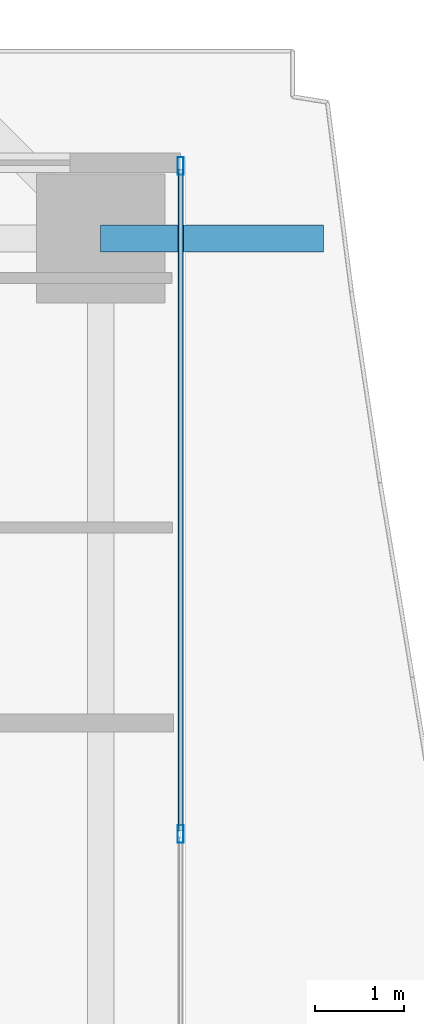
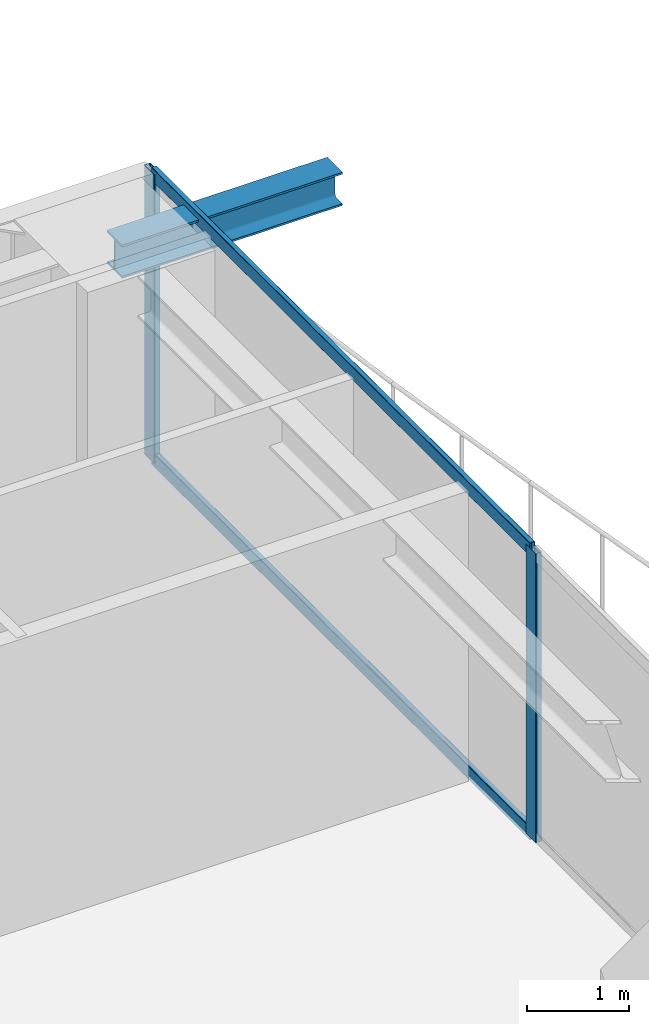
# One storey, part 23 of 39: 4 members, 1 beam, 1 element without a shape of its own.
"""IFC4 building model written with IfcOpenShell, lengths in metres."""

from ifc_helpers import new_model, si_unit, direction, frame, origin, origin_2d, place, context, subcontext, project, spatial, hollow_rectangle, i_section, extrude, source, transform, mapped, material, layer, layer_set, material_profile, profile_set, type_object, element, aggregate, save


model = new_model("IFC4")

# Units and contexts
model_context = context("Model", 3, precision=1e-05, world=origin(), true_north=direction((0.0, 1.0)))
body_context = subcontext(model_context, "Body", "Model", "MODEL_VIEW")
ifc_project = project(units=[si_unit("LENGTHUNIT", "METRE"), si_unit("AREAUNIT", "SQUARE_METRE"), si_unit("VOLUMEUNIT", "CUBIC_METRE"), si_unit("PLANEANGLEUNIT", "RADIAN"), si_unit("MASSUNIT", "GRAM", prefix="KILO")], contexts=[model_context])

# Site, building, storey
site_placement = place(None, origin())
site = spatial("IfcSite", under=ifc_project, at=site_placement, CompositionType="ELEMENT")
building_placement = place(site_placement, origin())
building = spatial("IfcBuilding", under=site, at=building_placement, Name="Serunith Strait Residences", CompositionType="ELEMENT")
storey_placement = place(building_placement, frame((0.0, 0.0, 49.199951171875)))
storey = spatial("IfcBuildingStorey", under=building, at=storey_placement, Name="L11", CompositionType="ELEMENT", Elevation=49.199951171875)

# Beam
ifc_material_1 = material(Name="Steel S355J2", Category="steel")
ifc_material_profile_1 = material_profile(ifc_material_1, i_section(OverallWidth=0.300048828125, OverallDepth=0.39990234375, WebThickness=0.013427734375, FlangeThickness=0.02392578125, FilletRadius=0.027099609375, at=origin_2d()), Name="HEB 400")
ifc_profile_set_1 = profile_set([ifc_material_profile_1], Name="Steel S355J2")
beam_type = type_object("IfcBeamType", Name="BM-HEB400", PredefinedType="BEAM", material=ifc_profile_set_1)
shared_shape_1 = source(origin(), body_context, "Body", "SweptSolid", [
    extrude(i_section(OverallWidth=0.300048828125, OverallDepth=0.39990234375, WebThickness=0.013427734375, FlangeThickness=0.02392578125, FilletRadius=0.027099609375, at=origin_2d()), origin(), (0.0, 0.0, 1.0), 2.504638671875),
])
beam_placement = place(storey_placement, frame((57.89990234375, 40.949951171875, 3.257080078125), z_axis=(1.0, 0.0, 0.0), x_axis=(0.0, 1.0, 0.0)))
element("IfcBeam", 1, at=beam_placement, inside=storey, type_object=beam_type, Name="L12 Cantilevered Balcony Rib TC-E4", PredefinedType="BEAM", context=body_context, shape_type="MappedRepresentation", body=[
    mapped(shared_shape_1, transform((0.0, 0.0, 0.0), scale=1.0)),
])

# Curtain wall, members
ifc_material_2 = material(Name="Pale-Champagne Anodised Aluminium", Category="aluminium")
ifc_layer = layer(ifc_material_2, 0.199951171875, Name="Pale-Champagne Anodised Aluminium")
ifc_layer_set = layer_set([ifc_layer], Name="Pale-Champagne Anodised Aluminium")
curtain_wall_type = type_object("IfcCurtainWallType", Name="CW-SYS1", PredefinedType="NOTDEFINED", material=ifc_layer_set)
curtain_wall_placement = place(storey_placement, origin())
curtain_wall = element("IfcCurtainWall", 2, at=curtain_wall_placement, inside=storey, type_object=curtain_wall_type, Name="L11 E Unitised Fritted Curtain Wall", PredefinedType="NOTDEFINED")
ifc_material_profile_2 = material_profile(ifc_material_2, hollow_rectangle(XDim=0.070068359375, YDim=0.199951171875, WallThickness=0.00390625, InnerFilletRadius=0.006103515625, OuterFilletRadius=0.010009765625, at=origin_2d()), Name="ALU 200x70x4")
ifc_profile_set_2 = profile_set([ifc_material_profile_2], Name="Pale-Champagne Anodised Aluminium")
member_type_1 = type_object("IfcMemberType", Name="CW-SYS1-MULL", PredefinedType="MULLION", material=ifc_profile_set_2)
shared_shape_2 = source(origin(), body_context, "Body", "SweptSolid", [
    extrude(hollow_rectangle(XDim=0.070068359375, YDim=0.199951171875, WallThickness=0.00390625, InnerFilletRadius=0.006103515625, OuterFilletRadius=0.010009765625, at=origin_2d()), origin(), (0.0, 0.0, 1.0), 3.47509765625),
])
member_1_placement = place(storey_placement, frame((58.800048828125, 34.25, 0.0), z_axis=(0.0, 0.0, 1.0), x_axis=(-1.0, 0.0, 0.0)))
member_1 = element("IfcMember", 3, at=member_1_placement, type_object=member_type_1, Name="CW-1 mullion 2", PredefinedType="MULLION", context=body_context, shape_type="MappedRepresentation", body=[
    mapped(shared_shape_2, transform((0.0, 0.0, 0.0), scale=1.0)),
])
member_2_placement = place(storey_placement, frame((58.800048828125, 41.764892578125, 0.0), z_axis=(0.0, 0.0, 1.0), x_axis=(-1.0, 0.0, 0.0)))
member_2 = element("IfcMember", 4, at=member_2_placement, type_object=member_type_1, Name="CW-1 mullion 3", PredefinedType="MULLION", context=body_context, shape_type="MappedRepresentation", body=[
    mapped(shared_shape_2, transform((0.0, 0.0, 0.0), scale=1.0)),
])
ifc_material_profile_3 = material_profile(ifc_material_2, hollow_rectangle(XDim=0.06005859375, YDim=0.159912109375, WallThickness=0.00341796875, InnerFilletRadius=0.00537109375, OuterFilletRadius=0.0087890625, at=origin_2d()), Name="ALU 160x60x3.5")
ifc_profile_set_3 = profile_set([ifc_material_profile_3], Name="Pale-Champagne Anodised Aluminium")
member_type_2 = type_object("IfcMemberType", Name="CW-SYS1-TRAN", PredefinedType="USERDEFINED", material=ifc_profile_set_3)
shared_shape_3 = source(origin(), body_context, "Body", "SweptSolid", [
    extrude(hollow_rectangle(XDim=0.06005859375, YDim=0.159912109375, WallThickness=0.00341796875, InnerFilletRadius=0.00537109375, OuterFilletRadius=0.0087890625, at=origin_2d()), origin(), (0.0, 0.0, 1.0), 7.445068359375),
])
member_3_placement = place(storey_placement, frame((58.800048828125, 34.284912109375, 0.030029296875), z_axis=(0.0, 1.0, 0.0), x_axis=(-1.0, 0.0, 0.0)))
member_3 = element("IfcMember", 5, at=member_3_placement, type_object=member_type_2, Name="CW-1 transom 2.1", ObjectType="TRANSOM", PredefinedType="USERDEFINED", context=body_context, shape_type="MappedRepresentation", body=[
    mapped(shared_shape_3, transform((0.0, 0.0, 0.0), scale=1.0)),
])
member_4_placement = place(storey_placement, frame((58.800048828125, 34.284912109375, 3.445068359375), z_axis=(0.0, 1.0, 0.0), x_axis=(-1.0, 0.0, 0.0)))
member_4 = element("IfcMember", 6, at=member_4_placement, type_object=member_type_2, Name="CW-1 transom 2.2", ObjectType="TRANSOM", PredefinedType="USERDEFINED", context=body_context, shape_type="MappedRepresentation", body=[
    mapped(shared_shape_3, transform((0.0, 0.0, 0.0), scale=1.0)),
])
aggregate(curtain_wall, [member_1, member_2, member_3, member_4])

save(model, "model.ifc")
